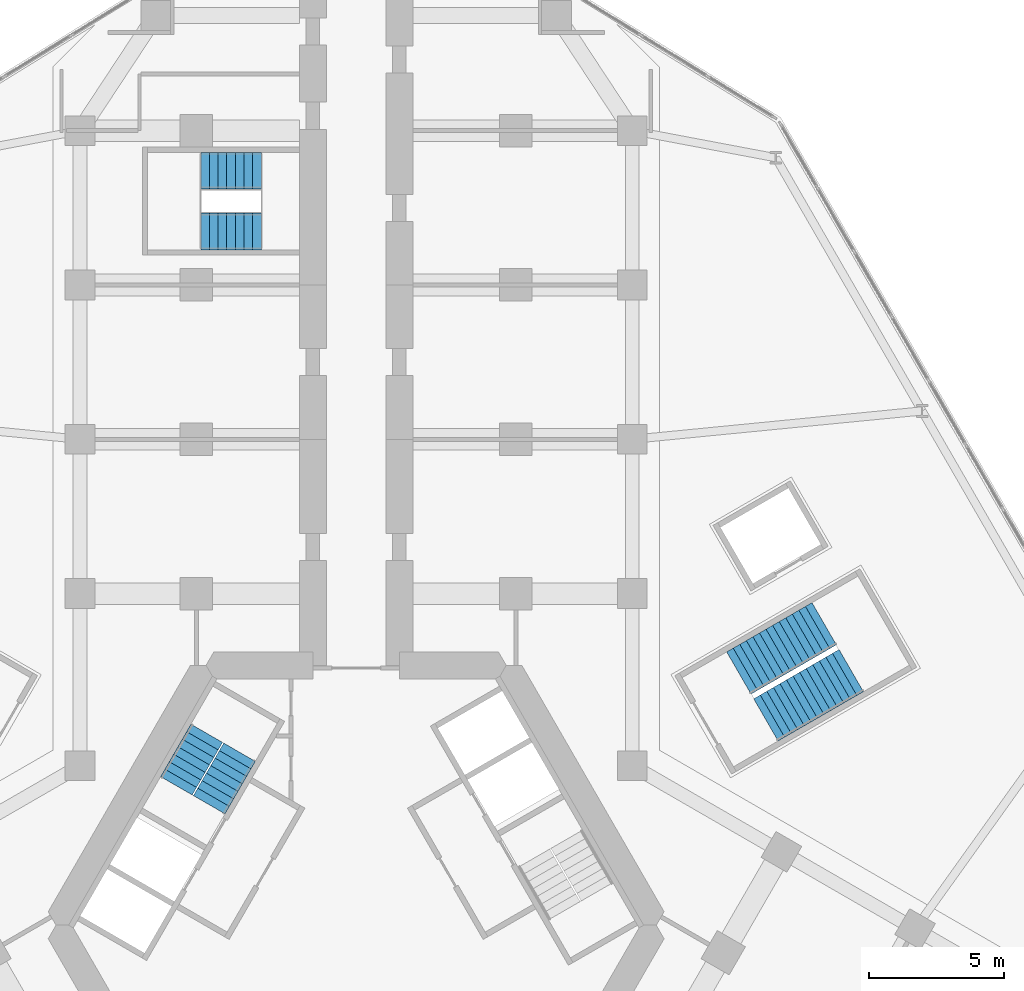
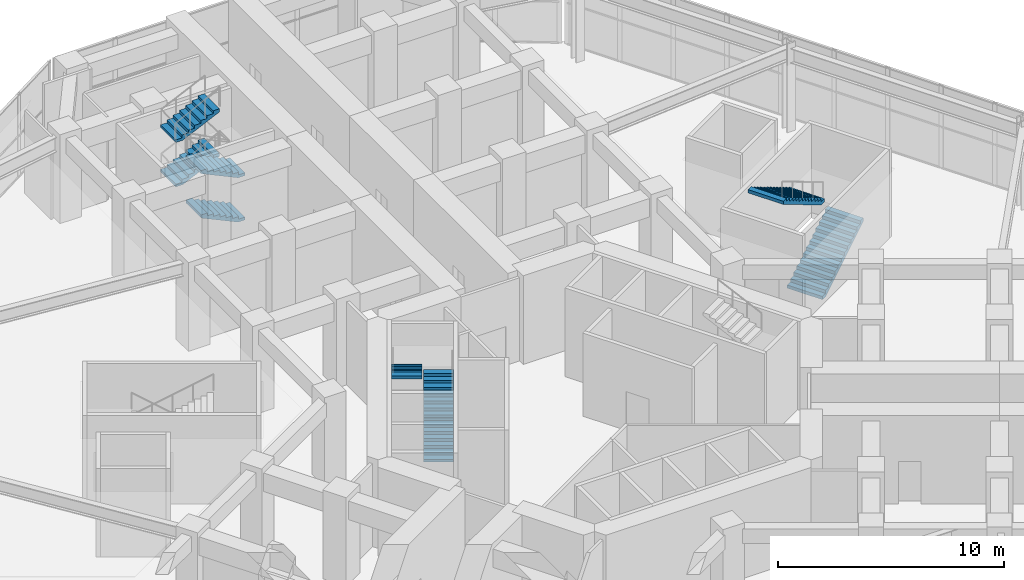
# One storey, part 19 of 22: 9 stair flights, 3 elements without a shape of their own.
"""IFC4 building model written with IfcOpenShell, lengths in metres."""

from ifc_helpers import new_model, si_unit, direction, frame, origin, place, context, subcontext, project, spatial, polyline, outline, extrude, material, type_object, element, aggregate, save


model = new_model("IFC4")

# Units and contexts
model_context = context("Model", 3, precision=1e-05, world=origin(), true_north=direction((0.0, 1.0)))
body_context = subcontext(model_context, "Body", "Model", "MODEL_VIEW")
ifc_project = project(units=[si_unit("LENGTHUNIT", "METRE"), si_unit("AREAUNIT", "SQUARE_METRE"), si_unit("VOLUMEUNIT", "CUBIC_METRE"), si_unit("PLANEANGLEUNIT", "RADIAN"), si_unit("MASSUNIT", "GRAM", prefix="KILO")], contexts=[model_context])

# Site, building, storey
site_placement = place(None, origin())
site = spatial("IfcSite", under=ifc_project, at=site_placement, CompositionType="ELEMENT")
building_placement = place(site_placement, origin())
building = spatial("IfcBuilding", under=site, at=building_placement, Name="Kosmar Iwan School Tower", CompositionType="ELEMENT")
storey_placement = place(building_placement, frame((0.0, 0.0, 15.60009765625)))
storey = spatial("IfcBuildingStorey", under=building, at=storey_placement, Name="L03", CompositionType="ELEMENT", Elevation=15.60009765625)

# Stair, stair flights
ifc_material_1 = material(Name="Concrete C35/45", Category="concrete")
stair_type_1 = type_object("IfcStairType", Name="Escape stair 3600", PredefinedType="HALF_TURN_STAIR", material=ifc_material_1)
stair_1_placement = place(storey_placement, origin())
stair_1 = element("IfcStair", 1, at=stair_1_placement, inside=storey, type_object=stair_type_1, Name="Stair WS1 L03", PredefinedType="HALF_TURN_STAIR")
ifc_material_2 = material(Name="Concrete C35/45", Category="concrete")
stair_flight_type_1 = type_object("IfcStairFlightType", Name="Escape stair flight 1350", PredefinedType="STRAIGHT", material=ifc_material_2)
stair_flight_1_placement = place(storey_placement, frame((-3.5, 25.625, 0.0), z_axis=(0.0, 0.0, 1.0), x_axis=(-1.0, 0.0, 0.0)))
stair_flight_1 = element("IfcStairFlight", 2, at=stair_flight_1_placement, type_object=stair_flight_type_1, Name="WS1 flight 1", NumberOfRisers=8, NumberOfTreads=7, PredefinedType="STRAIGHT", RiserHeight=0.15, TreadLength=0.32, context=body_context, shape_type="SweptSolid", body=[
    extrude(outline(polyline([(0.0, 0.0), (0.0, 0.14990234375), (0.320068359375, 0.14990234375), (0.320068359375, 0.300048828125), (0.639892578125, 0.300048828125), (0.639892578125, 0.449951171875), (0.9599609375, 0.449951171875), (0.9599609375, 0.60009765625), (1.280029296875, 0.60009765625), (1.280029296875, 0.75), (1.60009765625, 0.75), (1.60009765625, 0.89990234375), (1.919921875, 0.89990234375), (1.919921875, 1.050048828125), (2.239990234375, 1.050048828125), (2.239990234375, 1.199951171875), (2.239990234375, 0.884521484375), (0.353271484375, 0.0), (0.0, 0.0)])), frame((0.0, 0.675048828125, 0.0), z_axis=(0.0, -1.0, 0.0), x_axis=(1.0, 0.0, 0.0)), (0.0, 0.0, 1.0), 1.35009765625),
])
stair_flight_2_placement = place(storey_placement, frame((-5.739990234375, 27.875, 1.199951171875), z_axis=(0.0, 0.0, 1.0), x_axis=(1.0, 0.0, 0.0)))
stair_flight_2 = element("IfcStairFlight", 3, at=stair_flight_2_placement, type_object=stair_flight_type_1, Name="WS1 flight 2", NumberOfRisers=8, NumberOfTreads=7, PredefinedType="STRAIGHT", RiserHeight=0.15, TreadLength=0.32, context=body_context, shape_type="SweptSolid", body=[
    extrude(outline(polyline([(0.0, 0.0), (0.0, 0.14990234375), (0.320068359375, 0.14990234375), (0.320068359375, 0.300048828125), (0.639892578125, 0.300048828125), (0.639892578125, 0.449951171875), (0.9599609375, 0.449951171875), (0.9599609375, 0.60009765625), (1.280029296875, 0.60009765625), (1.280029296875, 0.75), (1.60009765625, 0.75), (1.60009765625, 0.89990234375), (1.919921875, 0.89990234375), (1.919921875, 1.050048828125), (2.239990234375, 1.050048828125), (2.239990234375, 1.199951171875), (2.239990234375, 0.884521484375), (0.353271484375, 0.0), (0.0, 0.0)])), frame((0.0, 0.675048828125, 0.0), z_axis=(0.0, -1.0, 0.0), x_axis=(1.0, 0.0, 0.0)), (0.0, 0.0, 1.0), 1.35009765625),
])
stair_flight_3_placement = place(storey_placement, frame((-3.5, 25.625, 2.39990234375), z_axis=(0.0, 0.0, 1.0), x_axis=(-1.0, 0.0, 0.0)))
stair_flight_3 = element("IfcStairFlight", 4, at=stair_flight_3_placement, type_object=stair_flight_type_1, Name="WS1 flight 3", NumberOfRisers=8, NumberOfTreads=7, PredefinedType="STRAIGHT", RiserHeight=0.15, TreadLength=0.32, context=body_context, shape_type="SweptSolid", body=[
    extrude(outline(polyline([(0.0, 0.0), (0.0, 0.14990234375), (0.320068359375, 0.14990234375), (0.320068359375, 0.300048828125), (0.639892578125, 0.300048828125), (0.639892578125, 0.449951171875), (0.9599609375, 0.449951171875), (0.9599609375, 0.60009765625), (1.280029296875, 0.60009765625), (1.280029296875, 0.75), (1.60009765625, 0.75), (1.60009765625, 0.89990234375), (1.919921875, 0.89990234375), (1.919921875, 1.050048828125), (2.239990234375, 1.050048828125), (2.239990234375, 1.199951171875), (2.239990234375, 0.884521484375), (0.353271484375, 0.0), (0.0, 0.0)])), frame((0.0, 0.675048828125, 0.0), z_axis=(0.0, -1.0, 0.0), x_axis=(1.0, 0.0, 0.0)), (0.0, 0.0, 1.0), 1.35009765625),
])
stair_flight_4_placement = place(storey_placement, frame((-5.739990234375, 27.875, 3.599853515625), z_axis=(0.0, 0.0, 1.0), x_axis=(1.0, 0.0, 0.0)))
stair_flight_4 = element("IfcStairFlight", 5, at=stair_flight_4_placement, type_object=stair_flight_type_1, Name="WS1 flight 4", NumberOfRisers=8, NumberOfTreads=7, PredefinedType="STRAIGHT", RiserHeight=0.15, TreadLength=0.32, context=body_context, shape_type="SweptSolid", body=[
    extrude(outline(polyline([(0.0, 0.0), (0.0, 0.14990234375), (0.320068359375, 0.14990234375), (0.320068359375, 0.300048828125), (0.639892578125, 0.300048828125), (0.639892578125, 0.449951171875), (0.9599609375, 0.449951171875), (0.9599609375, 0.60009765625), (1.280029296875, 0.60009765625), (1.280029296875, 0.75), (1.60009765625, 0.75), (1.60009765625, 0.89990234375), (1.919921875, 0.89990234375), (1.919921875, 1.050048828125), (2.239990234375, 1.050048828125), (2.239990234375, 1.199951171875), (2.239990234375, 0.884521484375), (0.353271484375, 0.0), (0.0, 0.0)])), frame((0.0, 0.675048828125, 0.0), z_axis=(0.0, -1.0, 0.0), x_axis=(1.0, 0.0, 0.0)), (0.0, 0.0, 1.0), 1.35009765625),
])
aggregate(stair_1, [stair_flight_1, stair_flight_2, stair_flight_3, stair_flight_4])

ifc_material_3 = material(Name="Concrete C35/45", Category="concrete")
stair_type_2 = type_object("IfcStairType", Name="School stair 3800", PredefinedType="HALF_TURN_STAIR", material=ifc_material_3)
stair_2_placement = place(storey_placement, origin())
stair_2 = element("IfcStair", 6, at=stair_2_placement, inside=storey, type_object=stair_type_2, Name="School stair SS3 L03", PredefinedType="HALF_TURN_STAIR")
ifc_material_4 = material(Name="Concrete C35/45", Category="concrete")
stair_flight_type_2 = type_object("IfcStairFlightType", Name="School stair flight 1800", PredefinedType="STRAIGHT", material=ifc_material_4)
stair_flight_5_placement = place(storey_placement, frame((15.1357421875, 7.583984375, 0.0), z_axis=(0.0, 0.0, 1.0), x_axis=(0.866025403784, 0.5, 0.0)))
stair_flight_5 = element("IfcStairFlight", 7, at=stair_flight_5_placement, type_object=stair_flight_type_2, Name="SS3 flight 1", NumberOfRisers=14, NumberOfTreads=13, PredefinedType="STRAIGHT", RiserHeight=0.171428571, TreadLength=0.28, context=body_context, shape_type="SweptSolid", body=[
    extrude(outline(polyline([(0.0, 0.0), (0.0, 0.17138671875), (0.280029296875, 0.17138671875), (0.280029296875, 0.3427734375), (0.56005859375, 0.3427734375), (0.56005859375, 0.514404296875), (0.840087890625, 0.514404296875), (0.840087890625, 0.685791015625), (1.1201171875, 0.685791015625), (1.1201171875, 0.857177734375), (1.39990234375, 0.857177734375), (1.39990234375, 1.028564453125), (1.679931640625, 1.028564453125), (1.679931640625, 1.199951171875), (1.9599609375, 1.199951171875), (1.9599609375, 1.371337890625), (2.239990234375, 1.371337890625), (2.239990234375, 1.54296875), (2.52001953125, 1.54296875), (2.52001953125, 1.71435546875), (2.800048828125, 1.71435546875), (2.800048828125, 1.8857421875), (3.080078125, 1.8857421875), (3.080078125, 2.05712890625), (3.360107421875, 2.05712890625), (3.360107421875, 2.228515625), (3.639892578125, 2.228515625), (3.639892578125, 2.39990234375), (3.639892578125, 2.052734375), (0.287109375, 0.0), (0.0, 0.0)])), frame((0.0, 0.89990234375, 0.0), z_axis=(0.0, -1.0, 0.0), x_axis=(1.0, 0.0, 0.0)), (0.0, 0.0, 1.0), 1.800048828125),
])
stair_flight_6_placement = place(storey_placement, frame((17.2880859375, 11.135986328125, 2.39990234375), z_axis=(0.0, 0.0, 1.0), x_axis=(-0.866025403784, -0.5, 0.0)))
stair_flight_6 = element("IfcStairFlight", 8, at=stair_flight_6_placement, type_object=stair_flight_type_2, Name="SS3 flight 2", NumberOfRisers=14, NumberOfTreads=13, PredefinedType="STRAIGHT", RiserHeight=0.171428571, TreadLength=0.28, context=body_context, shape_type="SweptSolid", body=[
    extrude(outline(polyline([(0.0, 0.0), (0.0, 0.17138671875), (0.280029296875, 0.17138671875), (0.280029296875, 0.3427734375), (0.56005859375, 0.3427734375), (0.56005859375, 0.514404296875), (0.840087890625, 0.514404296875), (0.840087890625, 0.685791015625), (1.1201171875, 0.685791015625), (1.1201171875, 0.857177734375), (1.39990234375, 0.857177734375), (1.39990234375, 1.028564453125), (1.679931640625, 1.028564453125), (1.679931640625, 1.199951171875), (1.9599609375, 1.199951171875), (1.9599609375, 1.371337890625), (2.239990234375, 1.371337890625), (2.239990234375, 1.54296875), (2.52001953125, 1.54296875), (2.52001953125, 1.71435546875), (2.800048828125, 1.71435546875), (2.800048828125, 1.8857421875), (3.080078125, 1.8857421875), (3.080078125, 2.05712890625), (3.360107421875, 2.05712890625), (3.360107421875, 2.228515625), (3.639892578125, 2.228515625), (3.639892578125, 2.39990234375), (3.639892578125, 2.052734375), (0.287109375, 0.0), (0.0, 0.0)])), frame((0.0, 0.89990234375, 0.0), z_axis=(0.0, -1.0, 0.0), x_axis=(1.0, 0.0, 0.0)), (0.0, 0.0, 1.0), 1.800048828125),
])
aggregate(stair_2, [stair_flight_5, stair_flight_6])

ifc_material_5 = material(Name="Concrete C35/45", Category="concrete")
stair_type_3 = type_object("IfcStairType", Name="Core stair 2750", PredefinedType="HALF_TURN_STAIR", material=ifc_material_5)
stair_3_placement = place(storey_placement, origin())
stair_3 = element("IfcStair", 9, at=stair_3_placement, inside=storey, type_object=stair_type_3, Name="Stair ST2 L03", PredefinedType="HALF_TURN_STAIR")
ifc_material_6 = material(Name="Concrete C35/45", Category="concrete")
stair_flight_type_3 = type_object("IfcStairFlightType", Name="Stair flight 1350", PredefinedType="STRAIGHT", material=ifc_material_6)
stair_flight_7_placement = place(storey_placement, frame((-5.42724609375, 4.44970703125, 0.0), z_axis=(0.0, 0.0, 1.0), x_axis=(0.5, 0.866025403784, 0.0)))
stair_flight_7 = element("IfcStairFlight", 10, at=stair_flight_7_placement, type_object=stair_flight_type_3, Name="ST2 flight 1", NumberOfRisers=8, NumberOfTreads=7, PredefinedType="STRAIGHT", RiserHeight=0.15, TreadLength=0.32, context=body_context, shape_type="SweptSolid", body=[
    extrude(outline(polyline([(0.0, 0.0), (0.0, 0.14990234375), (0.320068359375, 0.14990234375), (0.320068359375, 0.300048828125), (0.639892578125, 0.300048828125), (0.639892578125, 0.449951171875), (0.9599609375, 0.449951171875), (0.9599609375, 0.60009765625), (1.280029296875, 0.60009765625), (1.280029296875, 0.75), (1.60009765625, 0.75), (1.60009765625, 0.89990234375), (1.919921875, 0.89990234375), (1.919921875, 1.050048828125), (2.239990234375, 1.050048828125), (2.239990234375, 1.199951171875), (2.239990234375, 0.884521484375), (0.353271484375, 0.0), (0.0, 0.0)])), frame((0.0, 0.675048828125, 0.0), z_axis=(0.0, -1.0, 0.0), x_axis=(1.0, 0.0, 0.0)), (0.0, 0.0, 1.0), 1.35009765625),
])
stair_flight_8_placement = place(storey_placement, frame((-5.42724609375, 4.44970703125, 2.39990234375), z_axis=(0.0, 0.0, 1.0), x_axis=(0.5, 0.866025403784, 0.0)))
stair_flight_8 = element("IfcStairFlight", 11, at=stair_flight_8_placement, type_object=stair_flight_type_3, Name="ST2 flight 3", NumberOfRisers=8, NumberOfTreads=7, PredefinedType="STRAIGHT", RiserHeight=0.15, TreadLength=0.32, context=body_context, shape_type="SweptSolid", body=[
    extrude(outline(polyline([(0.0, 0.0), (0.0, 0.14990234375), (0.320068359375, 0.14990234375), (0.320068359375, 0.300048828125), (0.639892578125, 0.300048828125), (0.639892578125, 0.449951171875), (0.9599609375, 0.449951171875), (0.9599609375, 0.60009765625), (1.280029296875, 0.60009765625), (1.280029296875, 0.75), (1.60009765625, 0.75), (1.60009765625, 0.89990234375), (1.919921875, 0.89990234375), (1.919921875, 1.050048828125), (2.239990234375, 1.050048828125), (2.239990234375, 1.199951171875), (2.239990234375, 0.884521484375), (0.353271484375, 0.0), (0.0, 0.0)])), frame((0.0, 0.675048828125, 0.0), z_axis=(0.0, -1.0, 0.0), x_axis=(1.0, 0.0, 0.0)), (0.0, 0.0, 1.0), 1.35009765625),
])
stair_flight_9_placement = place(storey_placement, frame((-5.519775390625, 7.089599609375, 3.599853515625), z_axis=(0.0, 0.0, 1.0), x_axis=(-0.5, -0.866025403784, 0.0)))
stair_flight_9 = element("IfcStairFlight", 12, at=stair_flight_9_placement, type_object=stair_flight_type_3, Name="ST2 flight 4", NumberOfRisers=8, NumberOfTreads=7, PredefinedType="STRAIGHT", RiserHeight=0.15, TreadLength=0.32, context=body_context, shape_type="SweptSolid", body=[
    extrude(outline(polyline([(0.0, 0.0), (0.0, 0.14990234375), (0.320068359375, 0.14990234375), (0.320068359375, 0.300048828125), (0.639892578125, 0.300048828125), (0.639892578125, 0.449951171875), (0.9599609375, 0.449951171875), (0.9599609375, 0.60009765625), (1.280029296875, 0.60009765625), (1.280029296875, 0.75), (1.60009765625, 0.75), (1.60009765625, 0.89990234375), (1.919921875, 0.89990234375), (1.919921875, 1.050048828125), (2.239990234375, 1.050048828125), (2.239990234375, 1.199951171875), (2.239990234375, 0.884521484375), (0.353271484375, 0.0), (0.0, 0.0)])), frame((0.0, 0.675048828125, 0.0), z_axis=(0.0, -1.0, 0.0), x_axis=(1.0, 0.0, 0.0)), (0.0, 0.0, 1.0), 1.35009765625),
])
aggregate(stair_3, [stair_flight_7, stair_flight_8, stair_flight_9])

save(model, "model.ifc")
